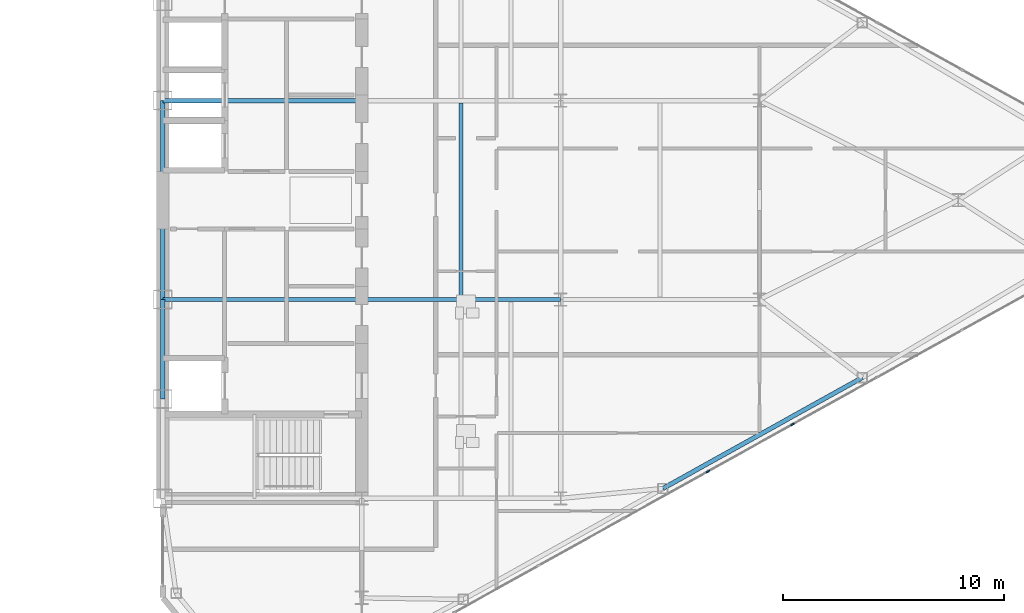
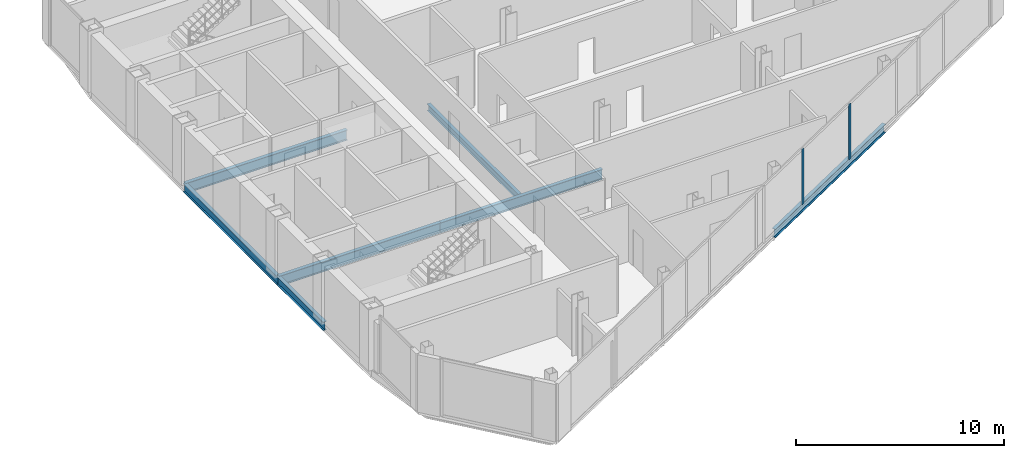
# One storey, part 13 of 26: 7 beams, 2 members, 1 element without a shape of its own.
"""IFC4 building model written with IfcOpenShell, lengths in metres."""

import ifcopenshell
import ifcopenshell.guid

model = None  # the IFC model being written
_history = None  # IfcOwnerHistory: only IFC2X3 demands one
_inside = {}  # id of a spatial element -> (the spatial element, [elements in it])
_under = {}  # id of a project, library or spatial element -> (it, [spatial elements below it])
_declared = {}  # id of a project -> (the project, [libraries it declares])
_typed = {}  # id of a type object -> (the type object, [elements of that type])
_made_of = {}  # id of a material, layer set ... -> (it, [elements and type objects made of it])


def new_model(schema):
    """Start an empty IFC model of exactly this schema.

    Asked for "IFC4X3", IfcOpenShell would pick the latest addendum, in which some entities
    have other attributes; the version numbers below select the first issue.
    IFC2X3 requires an IfcOwnerHistory on every rooted entity: one is made here for all.
    """
    global model, _history
    if schema == "IFC4X3":
        model = ifcopenshell.file(schema_version=(4, 3, 0, 0))
    else:
        model = ifcopenshell.file(schema=schema)
    _inside.clear()
    _under.clear()
    _declared.clear()
    _typed.clear()
    _made_of.clear()
    _history = None
    if model.schema == "IFC2X3":
        org = make("IfcOrganization", Name="unknown")
        user = make(
            "IfcPersonAndOrganization",
            ThePerson=make("IfcPerson", FamilyName="unknown"),
            TheOrganization=org,
        )
        app = make(
            "IfcApplication",
            ApplicationDeveloper=org,
            Version="unknown",
            ApplicationFullName="unknown",
            ApplicationIdentifier="unknown",
        )
        _history = make(
            "IfcOwnerHistory",
            OwningUser=user,
            OwningApplication=app,
            ChangeAction="ADDED",
            CreationDate=0,
        )
    return model


def make(cls, **values):
    """One entity of the class cls with the attributes given. An attribute that is None is left unset."""
    return model.create_entity(
        cls, **{name: value for name, value in values.items() if value is not None}
    )


def rooted(cls, **values):
    """An entity with a GlobalId (a new one), such as an element, a storey or a relation."""
    return make(cls, GlobalId=ifcopenshell.guid.new(), OwnerHistory=_history, **values)


def si_unit(unit_type, name, prefix=None):
    """IfcSIUnit, for example si_unit("LENGTHUNIT", "METRE", prefix="MILLI")."""
    return make("IfcSIUnit", UnitType=unit_type, Prefix=prefix, Name=name)


def assignment(units):
    """IfcUnitAssignment: the units of a project."""
    return None if units is None else make("IfcUnitAssignment", Units=units)


def point(xyz):
    """IfcCartesianPoint."""
    return None if xyz is None else make("IfcCartesianPoint", Coordinates=xyz)


def direction(xyz):
    """IfcDirection."""
    return None if xyz is None else make("IfcDirection", DirectionRatios=xyz)


def frame(location, z_axis=None, x_axis=None):
    """IfcAxis2Placement3D, a coordinate frame: its origin and axes. An axis left out is left unset."""
    return make(
        "IfcAxis2Placement3D",
        Location=point(location),
        Axis=direction(z_axis),
        RefDirection=direction(x_axis),
    )


def frame_2d(location, x_axis=None):
    """IfcAxis2Placement2D, a coordinate frame in the plane: its origin and x axis."""
    return make(
        "IfcAxis2Placement2D", Location=point(location), RefDirection=direction(x_axis)
    )


def origin():
    """The frame at (0, 0, 0) with its axes left unset."""
    return frame((0.0, 0.0, 0.0))


def origin_2d():
    """The frame at (0, 0) in the plane with its x axis left unset."""
    return frame_2d((0.0, 0.0))


def place(relative_to, where):
    """IfcLocalPlacement: puts the frame where relative to a parent placement (None: the world)."""
    return make(
        "IfcLocalPlacement", PlacementRelTo=relative_to, RelativePlacement=where
    )


def context(
    kind, dimensions, precision=None, world=None, true_north=None, identifier=None
):
    """IfcGeometricRepresentationContext, for example the 3D "Model" context."""
    return make(
        "IfcGeometricRepresentationContext",
        ContextIdentifier=identifier,
        ContextType=kind,
        CoordinateSpaceDimension=dimensions,
        Precision=precision,
        WorldCoordinateSystem=world,
        TrueNorth=true_north,
    )


def subcontext(parent, identifier, kind, view, scale=None):
    """IfcGeometricRepresentationSubContext, for example "Body" below "Model"."""
    return make(
        "IfcGeometricRepresentationSubContext",
        ContextIdentifier=identifier,
        ContextType=kind,
        ParentContext=parent,
        TargetScale=scale,
        TargetView=view,
    )


def project(units=None, contexts=None):
    """IfcProject with its units and contexts."""
    return rooted(
        "IfcProject",
        Name="project",
        RepresentationContexts=contexts,
        UnitsInContext=assignment(units),
    )


def spatial(cls, under=None, at=None, **own):
    """A site, building, storey or space (cls), placed at a placement, below another one or the project."""
    s = rooted(cls, ObjectPlacement=at, **own)
    if under is not None:
        _under.setdefault(under.id(), (under, []))[1].append(s)
    return s


def profile(cls, at=None, kind="AREA", **sizes):
    """A parametric profile (cls). Its sizes go by their IFC names, for example OverallWidth=200.0."""
    return make(cls, ProfileType=kind, Position=at, **sizes)


def rectangle(**sizes):
    """IfcRectangleProfileDef."""
    return profile("IfcRectangleProfileDef", **sizes)


def i_section(**sizes):
    """IfcIShapeProfileDef."""
    return profile("IfcIShapeProfileDef", **sizes)


def extrude(swept, where, along, depth):
    """IfcExtrudedAreaSolid: the profile swept, set in the frame where, extruded along a direction by depth."""
    return make(
        "IfcExtrudedAreaSolid",
        SweptArea=swept,
        Position=where,
        ExtrudedDirection=direction(along),
        Depth=depth,
    )


def shape(context_of_items, identifier, shape_type, items):
    """IfcShapeRepresentation: the items that make up one representation, for example the "Body"."""
    return make(
        "IfcShapeRepresentation",
        ContextOfItems=context_of_items,
        RepresentationIdentifier=identifier,
        RepresentationType=shape_type,
        Items=items,
    )


def source(mapping_origin, context_of_items, identifier, shape_type, items):
    """IfcRepresentationMap: a shape defined once, which mapped items show again and again."""
    return make(
        "IfcRepresentationMap",
        MappingOrigin=mapping_origin,
        MappedRepresentation=shape(context_of_items, identifier, shape_type, items),
    )


def transform(
    local_origin,
    x_axis=None,
    y_axis=None,
    z_axis=None,
    scale=None,
    scale2=None,
    scale3=None,
    uniform=True,
):
    """IfcCartesianTransformationOperator3D, or its non-uniform kind. x_axis, y_axis, z_axis: its Axis1, 2, 3."""
    if uniform:
        return make(
            "IfcCartesianTransformationOperator3D",
            Axis1=direction(x_axis),
            Axis2=direction(y_axis),
            LocalOrigin=point(local_origin),
            Scale=scale,
            Axis3=direction(z_axis),
        )
    return make(
        "IfcCartesianTransformationOperator3DnonUniform",
        Axis1=direction(x_axis),
        Axis2=direction(y_axis),
        LocalOrigin=point(local_origin),
        Scale=scale,
        Axis3=direction(z_axis),
        Scale2=scale2,
        Scale3=scale3,
    )


def mapped(mapping_source, mapping_target):
    """IfcMappedItem: shows the shape of a source again, moved by a transform."""
    return make(
        "IfcMappedItem", MappingSource=mapping_source, MappingTarget=mapping_target
    )


def material(Name=None, Category=None):
    """IfcMaterial."""
    return make("IfcMaterial", Name=Name, Category=Category)


def layer(
    of_material, thickness, ventilated=None, Name=None, Category=None, Priority=None
):
    """IfcMaterialLayer: one layer of a wall or slab, of a material (None: an air gap)."""
    return make(
        "IfcMaterialLayer",
        Material=of_material,
        LayerThickness=thickness,
        IsVentilated=ventilated,
        Name=Name,
        Category=Category,
        Priority=Priority,
    )


def layer_set(layers, Name=None):
    """IfcMaterialLayerSet."""
    return make("IfcMaterialLayerSet", MaterialLayers=layers, LayerSetName=Name)


def material_profile(
    of_material, cross_section, Name=None, Category=None, Priority=None
):
    """IfcMaterialProfile: a cross section and its material."""
    return make(
        "IfcMaterialProfile",
        Name=Name,
        Material=of_material,
        Profile=cross_section,
        Priority=Priority,
        Category=Category,
    )


def profile_set(profiles, Name=None, composite=None):
    """IfcMaterialProfileSet."""
    return make(
        "IfcMaterialProfileSet",
        Name=Name,
        MaterialProfiles=profiles,
        CompositeProfile=composite,
    )


def made_of(thing, what):
    """Note that an element or type object is made of a material, layer set ...; save() writes the relation."""
    if what is not None:
        _made_of.setdefault(what.id(), (what, []))[1].append(thing)
    return thing


def type_object(cls, material=None, **own):
    """A type object (cls), such as IfcWallType, which elements share."""
    return made_of(rooted(cls, **own), material)


def type_shapes(of_type, sources):
    """Give a type object the sources (RepresentationMaps) that its elements show as mapped items."""
    of_type.RepresentationMaps = sources


def element(
    cls,
    number,
    at=None,
    inside=None,
    cuts=None,
    type_object=None,
    material=None,
    context=None,
    identifier="Body",
    shape_type=None,
    held_by="IfcProductDefinitionShape",
    body=None,
    shapes=None,
    **own,
):
    """One element of the class cls, such as IfcWall. Its Tag is "e" and its number.

    at: its placement. inside: the storey or other place that contains it. cuts: it is an
    opening in that element (IfcRelVoidsElement). A single representation is given by context,
    identifier, shape_type and body (its items); several are given by shapes. held_by: the class
    of the entity that holds the representations. save() writes the other relations.
    """
    e = rooted(cls, Tag="e%d" % number, ObjectPlacement=at, **own)
    if body is not None:
        shapes = [shape(context, identifier, shape_type, body)]
    if shapes is not None:
        e.Representation = make(held_by, Representations=shapes)
    if inside is not None:
        _inside.setdefault(inside.id(), (inside, []))[1].append(e)
    if cuts is not None:
        rooted(
            "IfcRelVoidsElement", RelatingBuildingElement=cuts, RelatedOpeningElement=e
        )
    if type_object is not None:
        _typed.setdefault(type_object.id(), (type_object, []))[1].append(e)
    return made_of(e, material)


def aggregate(whole, parts):
    """IfcRelAggregates: a whole, such as a stair, and the parts it consists of."""
    return rooted("IfcRelAggregates", RelatingObject=whole, RelatedObjects=parts)


def save(model, path):
    """Write the relations noted so far, then the file.

    IfcRelAggregates (storeys below a building ...), IfcRelContainedInSpatialStructure (elements
    in a storey), IfcRelDefinesByType, IfcRelAssociatesMaterial and IfcRelDeclares: one each for
    every whole, place, type object, material and project.
    """
    for whole, parts in _under.values():
        aggregate(whole, parts)
    for where, things in _inside.values():
        rooted(
            "IfcRelContainedInSpatialStructure",
            RelatedElements=things,
            RelatingStructure=where,
        )
    for kind, things in _typed.values():
        rooted("IfcRelDefinesByType", RelatedObjects=things, RelatingType=kind)
    for what, things in _made_of.values():
        rooted("IfcRelAssociatesMaterial", RelatedObjects=things, RelatingMaterial=what)
    for by, libraries in _declared.values():
        rooted("IfcRelDeclares", RelatingContext=by, RelatedDefinitions=libraries)
    model.write(path)


model = new_model("IFC4")

# Units and contexts
model_context = context("Model", 3, precision=1e-05, world=origin(), true_north=direction((0.0, 1.0)))
body_context = subcontext(model_context, "Body", "Model", "MODEL_VIEW")
ifc_project = project(units=[si_unit("LENGTHUNIT", "METRE"), si_unit("AREAUNIT", "SQUARE_METRE"), si_unit("VOLUMEUNIT", "CUBIC_METRE"), si_unit("PLANEANGLEUNIT", "RADIAN"), si_unit("MASSUNIT", "GRAM", prefix="KILO")], contexts=[model_context])

# Site, building, storey
site_placement = place(None, origin())
site = spatial("IfcSite", under=ifc_project, at=site_placement, CompositionType="ELEMENT")
building_placement = place(site_placement, origin())
building = spatial("IfcBuilding", under=site, at=building_placement, Name="Seokmaru Belvedere", CompositionType="ELEMENT")
storey_placement = place(building_placement, frame((0.0, 0.0, 167.10009765625)))
storey = spatial("IfcBuildingStorey", under=building, at=storey_placement, Name="L44", CompositionType="ELEMENT", Elevation=167.10009765625)

# Beams
ifc_material_1 = material(Name="Steel SM355 (355 MPa)", Category="steel")
ifc_material_profile_1 = material_profile(ifc_material_1, i_section(OverallWidth=0.199951171875, OverallDepth=0.5, WebThickness=0.010009765625, FlangeThickness=0.01611328125, at=origin_2d()), Name="H-500x200x10x16")
ifc_profile_set_1 = profile_set([ifc_material_profile_1], Name="Steel SM355 (355 MPa)")
beam_type_1 = type_object("IfcBeamType", Name="Perimeter Spandrel Beam H-500", PredefinedType="SPANDREL", material=ifc_profile_set_1)
shared_shape_1 = source(origin(), body_context, "Body", "SweptSolid", [
    extrude(i_section(OverallWidth=0.199951171875, OverallDepth=0.5, WebThickness=0.010009765625, FlangeThickness=0.01611328125, at=origin_2d()), origin(), (0.0, 0.0, 1.0), 4.5),
])
beam_1_placement = place(storey_placement, frame((27.5, -9.0, -0.47021484375), z_axis=(0.0, 1.0, 0.0), x_axis=(-1.0, 0.0, 0.0)))
element("IfcBeam", 1, at=beam_1_placement, inside=storey, type_object=beam_type_1, Name="L44 E Portal Spine Spandrel 2", PredefinedType="SPANDREL", context=body_context, shape_type="MappedRepresentation", body=[
    mapped(shared_shape_1, transform((0.0, 0.0, 0.0), scale=1.0)),
])
shared_shape_2 = source(origin(), body_context, "Body", "SweptSolid", [
    extrude(i_section(OverallWidth=0.199951171875, OverallDepth=0.5, WebThickness=0.010009765625, FlangeThickness=0.01611328125, at=origin_2d()), origin(), (0.0, 0.0, 1.0), 9.0),
])
beam_2_placement = place(storey_placement, frame((27.5, -4.5, -0.47021484375), z_axis=(0.0, 1.0, 0.0), x_axis=(-1.0, 0.0, 0.0)))
element("IfcBeam", 2, at=beam_2_placement, inside=storey, type_object=beam_type_1, Name="L44 E Portal Spine Spandrel 3", PredefinedType="SPANDREL", context=body_context, shape_type="MappedRepresentation", body=[
    mapped(shared_shape_2, transform((0.0, 0.0, 0.0), scale=1.0)),
])
ifc_material_profile_2 = material_profile(ifc_material_1, i_section(OverallWidth=0.199951171875, OverallDepth=0.60009765625, WebThickness=0.010986328125, FlangeThickness=0.01708984375, at=origin_2d()), Name="H-600x200x11x17")
ifc_profile_set_2 = profile_set([ifc_material_profile_2], Name="Steel SM355 (355 MPa)")
beam_type_2 = type_object("IfcBeamType", Name="Primary Floor Girder H-600", PredefinedType="BEAM", material=ifc_profile_set_2)
shared_shape_3 = source(origin(), body_context, "Body", "SweptSolid", [
    extrude(i_section(OverallWidth=0.199951171875, OverallDepth=0.60009765625, WebThickness=0.010986328125, FlangeThickness=0.01708984375, at=origin_2d()), origin(), (0.0, 0.0, 1.0), 9.0),
])
type_shapes(beam_type_2, [shared_shape_3])
for number, where, z_axis, x_axis, name in (
    (3, (27.5, -4.5, -0.52001953125), (1.0, 0.0, 0.0), (0.0, 1.0, 0.0), "L44 E Core Tie Girder 2"),
    (4, (36.5, -4.5, -0.52001953125), (1.0, 0.0, 0.0), (0.0, 1.0, 0.0), "L44 E Wing Primary Girder 2"),
    (5, (27.5, 4.5, -0.52001953125), (1.0, 0.0, 0.0), (0.0, 1.0, 0.0), "L44 E Core Tie Girder 3"),
):
    element("IfcBeam", number, at=place(storey_placement, frame(where, z_axis=z_axis, x_axis=x_axis)), inside=storey, type_object=beam_type_2, Name=name, PredefinedType="BEAM", context=body_context, shape_type="MappedRepresentation", body=[
        mapped(shared_shape_3, transform((0.0, 0.0, 0.0), scale=1.0)),
    ])
ifc_material_profile_3 = material_profile(ifc_material_1, i_section(OverallWidth=0.18505859375, OverallDepth=0.389892578125, WebThickness=0.008056640625, FlangeThickness=0.011962890625, at=origin_2d()), Name="H-390x185x8x12")
ifc_profile_set_3 = profile_set([ifc_material_profile_3], Name="Steel SM355 (355 MPa)")
beam_type_3 = type_object("IfcBeamType", Name="Secondary Floor Joist H-350", PredefinedType="JOIST", material=ifc_profile_set_3)
shared_shape_4 = source(origin(), body_context, "Body", "SweptSolid", [
    extrude(i_section(OverallWidth=0.18505859375, OverallDepth=0.389892578125, WebThickness=0.008056640625, FlangeThickness=0.011962890625, at=origin_2d()), origin(), (0.0, 0.0, 1.0), 8.7900390625),
])
type_shapes(beam_type_3, [shared_shape_4])
beam_3_placement = place(storey_placement, frame((41.0, -4.39501953125, -0.4150390625), z_axis=(0.0, 1.0, 0.0), x_axis=(-1.0, 0.0, 0.0)))
element("IfcBeam", 6, at=beam_3_placement, inside=storey, type_object=beam_type_3, Name="L44 E Secondary Floor Joist 2", PredefinedType="JOIST", context=body_context, shape_type="MappedRepresentation", body=[
    mapped(shared_shape_4, transform((0.0, 0.0, 0.0), scale=1.0)),
])
shared_shape_5 = source(origin(), body_context, "Body", "SweptSolid", [
    extrude(i_section(OverallWidth=0.199951171875, OverallDepth=0.5, WebThickness=0.010009765625, FlangeThickness=0.01611328125, at=origin_2d()), origin(), (0.0, 0.0, 1.0), 10.327392578125),
])
type_shapes(beam_type_1, [shared_shape_1, shared_shape_2, shared_shape_5])
beam_4_placement = place(storey_placement, frame((50.129150390625, -13.051025390625, -0.47021484375), z_axis=(0.873934162361, 0.48604431882, 0.0), x_axis=(-0.48604431882, 0.873934162361, 0.0)))
element("IfcBeam", 7, at=beam_4_placement, inside=storey, type_object=beam_type_1, Name="L44 E Faceted Flank Spandrel S-3", PredefinedType="SPANDREL", context=body_context, shape_type="MappedRepresentation", body=[
    mapped(shared_shape_5, transform((0.0, 0.0, 0.0), scale=1.0)),
])

# Curtain wall, members
ifc_material_2 = material(Name="Bronze Triple Insulating Glass", Category="glass")
ifc_layer = layer(ifc_material_2, 0.179931640625)
ifc_layer_set = layer_set([ifc_layer], Name="Bronze Triple Insulating Glass")
curtain_wall_type = type_object("IfcCurtainWallType", Name="High-Rise Wind-Corner Curtain Wall System CW-5", PredefinedType="NOTDEFINED", material=ifc_layer_set)
curtain_wall_placement = place(storey_placement, origin())
curtain_wall = element("IfcCurtainWall", 8, at=curtain_wall_placement, inside=storey, type_object=curtain_wall_type, Name="L44 Curtain Wall EF1", PredefinedType="NOTDEFINED")
ifc_material_3 = material(Name="Anodised Bronze Aluminium", Category="aluminium")
ifc_material_profile_4 = material_profile(ifc_material_3, rectangle(XDim=0.06494140625, YDim=0.179931640625, at=origin_2d()), Name="CW-M-65x180")
ifc_profile_set_4 = profile_set([ifc_material_profile_4], Name="Anodised Bronze Aluminium")
member_type = type_object("IfcMemberType", Name="Bronze Unitised Mullion 65x180", PredefinedType="MULLION", material=ifc_profile_set_4)
shared_shape_6 = source(origin(), body_context, "Body", "SweptSolid", [
    extrude(rectangle(XDim=0.06494140625, YDim=0.179931640625, at=origin_2d()), origin(), (0.0, 0.0, 1.0), 3.25),
])
type_shapes(member_type, [shared_shape_6])
member_1_placement = place(storey_placement, frame((52.166015625, -12.2841796875, 0.06494140625), z_axis=(0.0, 0.0, 1.0), x_axis=(-0.486047125147, 0.873932601598, 0.0)))
member_1 = element("IfcMember", 9, at=member_1_placement, type_object=member_type, Name="CW:L44:EF1 Mullion 6", PredefinedType="MULLION", context=body_context, shape_type="MappedRepresentation", body=[
    mapped(shared_shape_6, transform((0.0, 0.0, 0.0), scale=1.0)),
])
member_2_placement = place(storey_placement, frame((55.998291015625, -10.153076171875, 0.06494140625), z_axis=(0.0, 0.0, 1.0), x_axis=(-0.486047125147, 0.873932601598, 0.0)))
member_2 = element("IfcMember", 10, at=member_2_placement, type_object=member_type, Name="CW:L44:EF1 Mullion 7", PredefinedType="MULLION", context=body_context, shape_type="MappedRepresentation", body=[
    mapped(shared_shape_6, transform((0.0, 0.0, 0.0), scale=1.0)),
])
aggregate(curtain_wall, [member_1, member_2])

save(model, "model.ifc")
